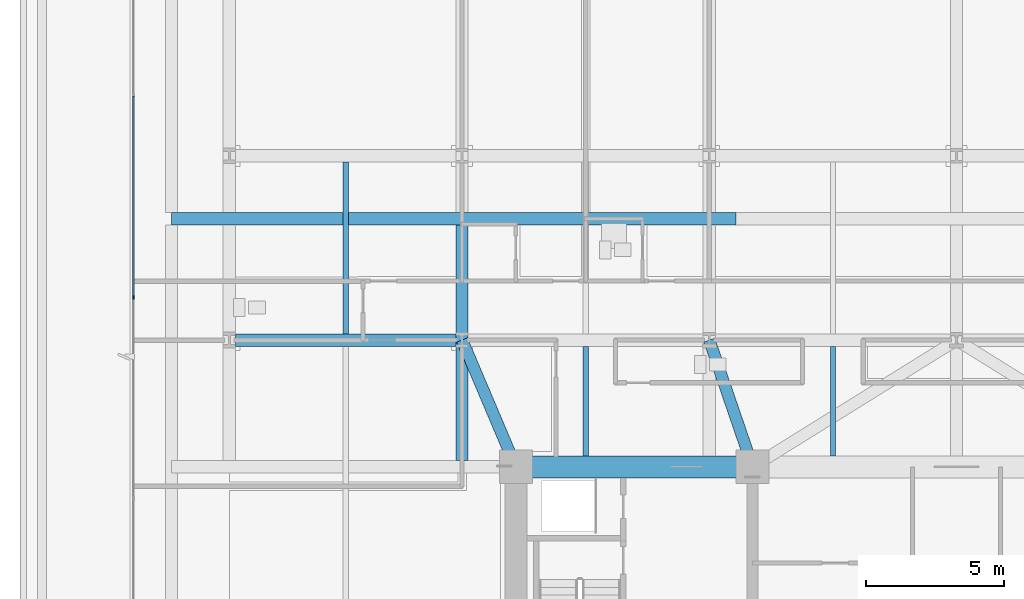
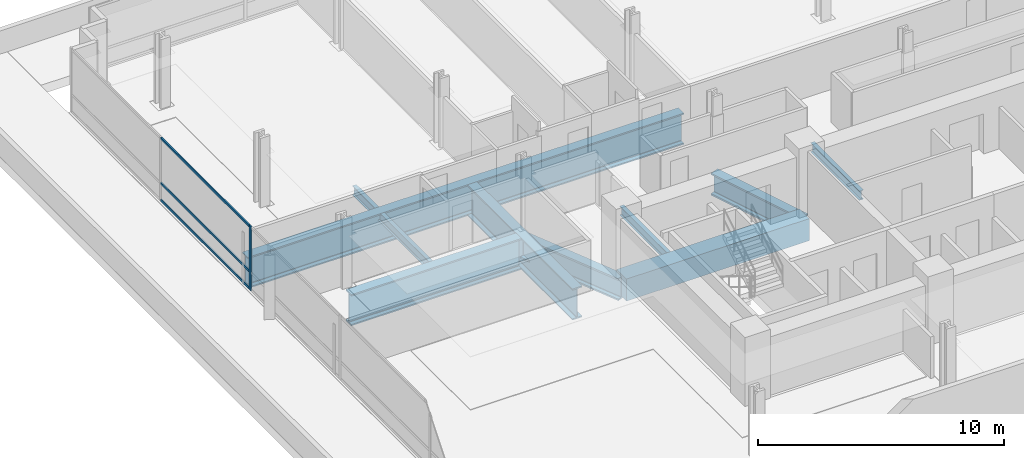
# One storey, part 6 of 25: 9 beams, 4 members, 1 element without a shape of its own.
"""IFC4 building model written with IfcOpenShell, lengths in metres."""

from ifc_helpers import new_model, si_unit, direction, frame, origin, origin_2d, place, context, subcontext, project, spatial, rectangle, i_section, extrude, material, material_profile, profile_set, type_object, element, aggregate, save


model = new_model("IFC4")

# Units and contexts
model_context = context("Model", 3, precision=1e-05, world=origin(), true_north=direction((0.0, 1.0)))
body_context = subcontext(model_context, "Body", "Model", "MODEL_VIEW")
ifc_project = project(units=[si_unit("LENGTHUNIT", "METRE"), si_unit("AREAUNIT", "SQUARE_METRE"), si_unit("VOLUMEUNIT", "CUBIC_METRE"), si_unit("PLANEANGLEUNIT", "RADIAN"), si_unit("MASSUNIT", "GRAM", prefix="KILO")], contexts=[model_context])

# Site, building, storey
site_placement = place(None, origin())
site = spatial("IfcSite", under=ifc_project, at=site_placement, CompositionType="ELEMENT")
building_placement = place(site_placement, origin())
building = spatial("IfcBuilding", under=site, at=building_placement, Name="Solmavex Isthmus Hotel", CompositionType="ELEMENT")
storey_placement = place(building_placement, frame((0.0, 0.0, 26.39990234375)))
storey = spatial("IfcBuildingStorey", under=building, at=storey_placement, Name="L06", CompositionType="ELEMENT", Elevation=26.39990234375)

# Beams
ifc_material_1 = material(Name="Steel ASTM A992 Grade 50", Category="steel")
ifc_material_profile_1 = material_profile(ifc_material_1, i_section(OverallWidth=0.1904296875, OverallDepth=0.456787109375, WebThickness=0.009033203125, FlangeThickness=0.014404296875, FilletRadius=0.0126953125, at=origin_2d()), Name="W18X50")
ifc_profile_set_1 = profile_set([ifc_material_profile_1], Name="Steel ASTM A992 Grade 50")
beam_type_1 = type_object("IfcBeamType", Name="BM-BJ-W18X50", PredefinedType="JOIST", material=ifc_profile_set_1)
beam_1_placement = place(storey_placement, frame((-22.176025390625, 2.324951171875, -0.678466796875), z_axis=(0.0, 1.0, 0.0), x_axis=(-1.0, 0.0, 0.0)))
element("IfcBeam", 1, at=beam_1_placement, inside=storey, type_object=beam_type_1, Name="Secondary Floor Joist L06-J02", PredefinedType="JOIST", context=body_context, shape_type="SweptSolid", body=[
    extrude(i_section(OverallWidth=0.1904296875, OverallDepth=0.456787109375, WebThickness=0.009033203125, FlangeThickness=0.014404296875, FilletRadius=0.0126953125, at=origin_2d()), origin(), (0.0, 0.0, 1.0), 6.238037109375),
])
for number, where, z_axis, x_axis, name in (
    (2, (-13.464111328125, -2.10009765625, -0.678466796875), (0.0, 1.0, 0.0), (-1.0, 0.0, 0.0), "Secondary Floor Joist L06-J04"),
    (3, (-4.488037109375, -2.10009765625, -0.678466796875), (0.0, 1.0, 0.0), (-1.0, 0.0, 0.0), "Secondary Floor Joist L06-J07"),
):
    element("IfcBeam", number, at=place(storey_placement, frame(where, z_axis=z_axis, x_axis=x_axis)), inside=storey, type_object=beam_type_1, Name=name, PredefinedType="JOIST", context=body_context, shape_type="SweptSolid", body=[
        extrude(i_section(OverallWidth=0.1904296875, OverallDepth=0.456787109375, WebThickness=0.009033203125, FlangeThickness=0.014404296875, FilletRadius=0.0126953125, at=origin_2d()), origin(), (0.0, 0.0, 1.0), 3.97509765625),
    ])
ifc_material_2 = material(Name="Concrete C70/85", Category="concrete")
ifc_material_profile_2 = material_profile(ifc_material_2, rectangle(XDim=0.800048828125, YDim=1.10009765625, at=origin_2d()), Name="RC800X1100")
ifc_profile_set_2 = profile_set([ifc_material_profile_2], Name="Concrete C70/85")
beam_type_2 = type_object("IfcBeamType", Name="BM-CB-800X1100", PredefinedType="BEAM", material=ifc_profile_set_2)
beam_2_placement = place(storey_placement, frame((-16.0, -2.5, -0.889892578125), z_axis=(1.0, 0.0, 0.0), x_axis=(0.0, 1.0, 0.0)))
element("IfcBeam", 4, at=beam_2_placement, inside=storey, type_object=beam_type_2, Name="Core Coupling Beam L06-CB4", PredefinedType="BEAM", context=body_context, shape_type="SweptSolid", body=[
    extrude(rectangle(XDim=0.800048828125, YDim=1.10009765625, at=origin_2d()), origin(), (0.0, 0.0, 1.0), 8.60009765625),
])
ifc_material_3 = material(Name="Steel ASTM A572 Grade 50", Category="steel")
ifc_material_profile_3 = material_profile(ifc_material_3, i_section(OverallWidth=0.449951171875, OverallDepth=1.550048828125, WebThickness=0.031982421875, FlangeThickness=0.06494140625, FilletRadius=0.030517578125, at=origin_2d()), Name="I1550X450")
ifc_profile_set_3 = profile_set([ifc_material_profile_3], Name="Steel ASTM A572 Grade 50")
beam_type_3 = type_object("IfcBeamType", Name="BM-TB-G1550", PredefinedType="BEAM", material=ifc_profile_set_3)
beam_3_placement = place(storey_placement, frame((-28.5, 6.5, -1.224853515625), z_axis=(1.0, 0.0, 0.0), x_axis=(0.0, 1.0, 0.0)))
element("IfcBeam", 5, at=beam_3_placement, inside=storey, type_object=beam_type_3, Name="Podium-to-Tower Mega Transfer Girder L06-MG07", PredefinedType="BEAM", context=body_context, shape_type="SweptSolid", body=[
    extrude(i_section(OverallWidth=0.449951171875, OverallDepth=1.550048828125, WebThickness=0.031982421875, FlangeThickness=0.06494140625, FilletRadius=0.030517578125, at=origin_2d()), origin(), (0.0, 0.0, 1.0), 20.5),
])
beam_4_placement = place(storey_placement, frame((-17.951904296875, -2.27490234375, -1.224853515625), z_axis=(0.0, 1.0, 0.0), x_axis=(-1.0, 0.0, 0.0)))
element("IfcBeam", 6, at=beam_4_placement, inside=storey, type_object=beam_type_3, Name="Tower Column Root Transfer Girder L06-MNS2B", PredefinedType="BEAM", context=body_context, shape_type="SweptSolid", body=[
    extrude(i_section(OverallWidth=0.449951171875, OverallDepth=1.550048828125, WebThickness=0.031982421875, FlangeThickness=0.06494140625, FilletRadius=0.030517578125, at=origin_2d()), origin(), (0.0, 0.0, 1.0), 8.5498046875),
])
beam_5_placement = place(storey_placement, frame((-26.175048828125, 2.10009765625, -1.224853515625), z_axis=(1.0, 0.0, 0.0), x_axis=(0.0, 1.0, 0.0)))
element("IfcBeam", 7, at=beam_5_placement, inside=storey, type_object=beam_type_3, Name="Outrigger Collector Girder L06-UG07", PredefinedType="BEAM", context=body_context, shape_type="SweptSolid", body=[
    extrude(i_section(OverallWidth=0.449951171875, OverallDepth=1.550048828125, WebThickness=0.031982421875, FlangeThickness=0.06494140625, FilletRadius=0.030517578125, at=origin_2d()), origin(), (0.0, 0.0, 1.0), 7.998046875),
])
ifc_material_4 = material(Name="Steel ASTM A913 Grade 65", Category="steel")
ifc_material_profile_4 = material_profile(ifc_material_4, i_section(OverallWidth=0.42431640625, OverallDepth=1.09228515625, WebThickness=0.04541015625, FlangeThickness=0.08203125, FilletRadius=0.030517578125, at=origin_2d()), Name="W40X593")
ifc_profile_set_4 = profile_set([ifc_material_profile_4], Name="Steel ASTM A913 Grade 65")
beam_type_4 = type_object("IfcBeamType", Name="BM-TB-W40X397", PredefinedType="BEAM", material=ifc_profile_set_4)
beam_6_placement = place(storey_placement, frame((-16.0, -2.5, -0.99609375), z_axis=(-0.390608816206, 0.920556762346, 0.0), x_axis=(-0.920556762346, -0.390608816206, 0.0)))
element("IfcBeam", 8, at=beam_6_placement, inside=storey, type_object=beam_type_4, Name="Core Outrigger Strut L05-OTNW", PredefinedType="BEAM", context=body_context, shape_type="SweptSolid", body=[
    extrude(i_section(OverallWidth=0.42431640625, OverallDepth=1.09228515625, WebThickness=0.04541015625, FlangeThickness=0.08203125, FilletRadius=0.030517578125, at=origin_2d()), origin(), (0.0, 0.0, 1.0), 4.9970703125),
])
ifc_material_profile_5 = material_profile(ifc_material_4, i_section(OverallWidth=0.42431640625, OverallDepth=1.09228515625, WebThickness=0.04541015625, FlangeThickness=0.08203125, FilletRadius=0.030517578125, at=origin_2d()), Name="W40X593")
ifc_profile_set_5 = profile_set([ifc_material_profile_5], Name="Steel ASTM A913 Grade 65")
beam_type_5 = type_object("IfcBeamType", Name="BM-TG-W40X593", PredefinedType="BEAM", material=ifc_profile_set_5)
beam_7_placement = place(storey_placement, frame((-7.39990234375, -2.5, -0.99609375), z_axis=(-0.32413947833, 0.946009301533, 0.0), x_axis=(-0.946009301533, -0.32413947833, 0.0)))
element("IfcBeam", 9, at=beam_7_placement, inside=storey, type_object=beam_type_5, Name="Core Outrigger Strut L05-OTW", PredefinedType="BEAM", context=body_context, shape_type="SweptSolid", body=[
    extrude(i_section(OverallWidth=0.42431640625, OverallDepth=1.09228515625, WebThickness=0.04541015625, FlangeThickness=0.08203125, FilletRadius=0.030517578125, at=origin_2d()), origin(), (0.0, 0.0, 1.0), 4.862548828125),
])

# Curtain wall, members
ifc_material_5 = material(Name="Aluminium alloy 6063-T6", Category="aluminium")
curtain_wall_type = type_object("IfcCurtainWallType", Name="CW-SYS-06", PredefinedType="NOTDEFINED", material=ifc_material_5)
curtain_wall_placement = place(storey_placement, origin())
curtain_wall = element("IfcCurtainWall", 10, at=curtain_wall_placement, inside=storey, type_object=curtain_wall_type, Name="Stick Curtain Wall CWL-L06-W1", PredefinedType="NOTDEFINED")
ifc_material_profile_6 = material_profile(ifc_material_5, rectangle(XDim=0.06005859375, YDim=0.139892578125, at=origin_2d()), Name="CWM-60X140")
ifc_profile_set_6 = profile_set([ifc_material_profile_6], Name="Aluminium alloy 6063-T6")
member_type_1 = type_object("IfcMemberType", Name="CW-SYS-06-MUL", PredefinedType="MULLION", material=ifc_profile_set_6)
member_1_placement = place(storey_placement, frame((-29.8798828125, 3.659912109375, 0.0), z_axis=(0.0, 0.0, 1.0), x_axis=(-1.0, 0.0, 0.0)))
member_1 = element("IfcMember", 11, at=member_1_placement, type_object=member_type_1, Name="CW-06 mullion 4", PredefinedType="MULLION", context=body_context, shape_type="SweptSolid", body=[
    extrude(rectangle(XDim=0.06005859375, YDim=0.139892578125, at=origin_2d()), origin(), (0.0, 0.0, 1.0), 3.190185546875),
])
ifc_material_profile_7 = material_profile(ifc_material_5, rectangle(XDim=0.06005859375, YDim=0.114990234375, at=origin_2d()), Name="CWT-60X115")
ifc_profile_set_7 = profile_set([ifc_material_profile_7], Name="Aluminium alloy 6063-T6")
member_type_2 = type_object("IfcMemberType", Name="CW-SYS-06-TRN", PredefinedType="USERDEFINED", material=ifc_profile_set_7)
member_2_placement = place(storey_placement, frame((-29.8798828125, 3.68994140625, 0.0576171875), z_axis=(0.0, 1.0, 0.0), x_axis=(-1.0, 0.0, 0.0)))
member_2 = element("IfcMember", 12, at=member_2_placement, type_object=member_type_2, Name="CW-06 transom 4.1", ObjectType="TRANSOM", PredefinedType="USERDEFINED", context=body_context, shape_type="SweptSolid", body=[
    extrude(rectangle(XDim=0.06005859375, YDim=0.114990234375, at=origin_2d()), origin(), (0.0, 0.0, 1.0), 7.260009765625),
])
member_3_placement = place(storey_placement, frame((-29.8798828125, 3.68994140625, 0.900146484375), z_axis=(0.0, 1.0, 0.0), x_axis=(-1.0, 0.0, 0.0)))
member_3 = element("IfcMember", 13, at=member_3_placement, type_object=member_type_2, Name="CW-06 transom 4.2", ObjectType="TRANSOM", PredefinedType="USERDEFINED", context=body_context, shape_type="SweptSolid", body=[
    extrude(rectangle(XDim=0.06005859375, YDim=0.114990234375, at=origin_2d()), origin(), (0.0, 0.0, 1.0), 7.260009765625),
])
member_4_placement = place(storey_placement, frame((-29.8798828125, 3.68994140625, 3.132568359375), z_axis=(0.0, 1.0, 0.0), x_axis=(-1.0, 0.0, 0.0)))
member_4 = element("IfcMember", 14, at=member_4_placement, type_object=member_type_2, Name="CW-06 transom 4.3", ObjectType="TRANSOM", PredefinedType="USERDEFINED", context=body_context, shape_type="SweptSolid", body=[
    extrude(rectangle(XDim=0.06005859375, YDim=0.114990234375, at=origin_2d()), origin(), (0.0, 0.0, 1.0), 7.260009765625),
])
aggregate(curtain_wall, [member_1, member_2, member_3, member_4])

save(model, "model.ifc")
